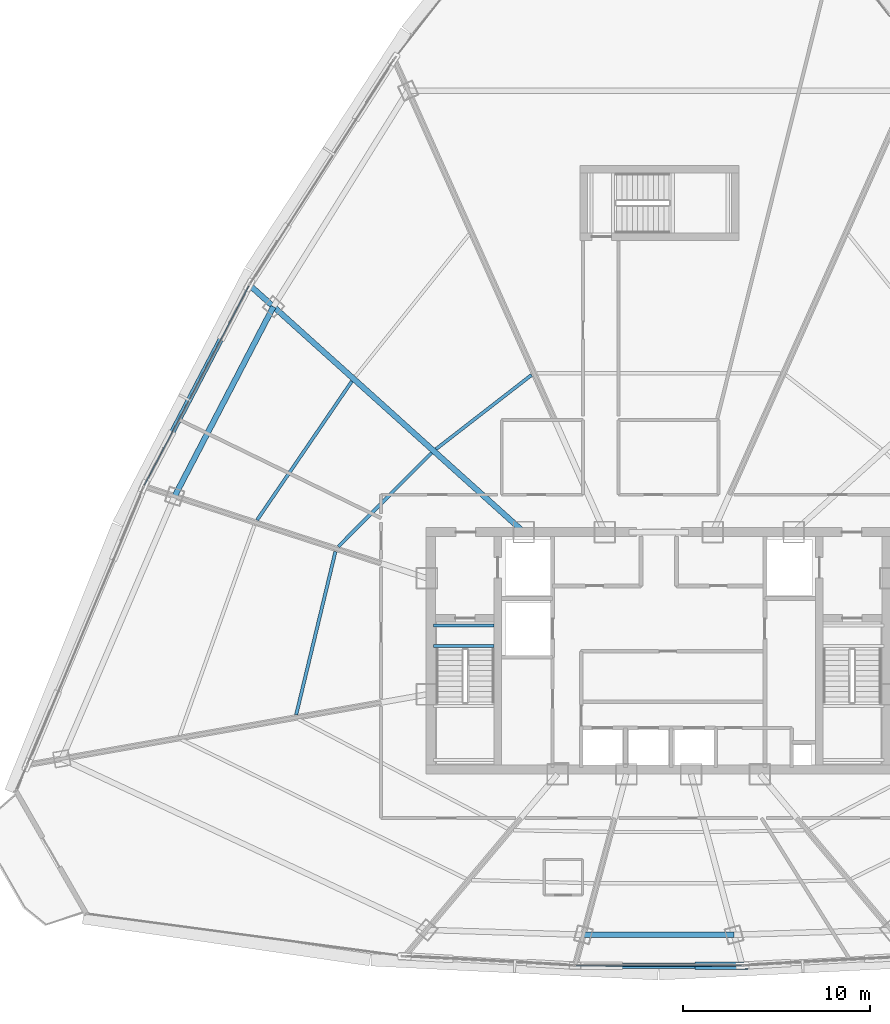
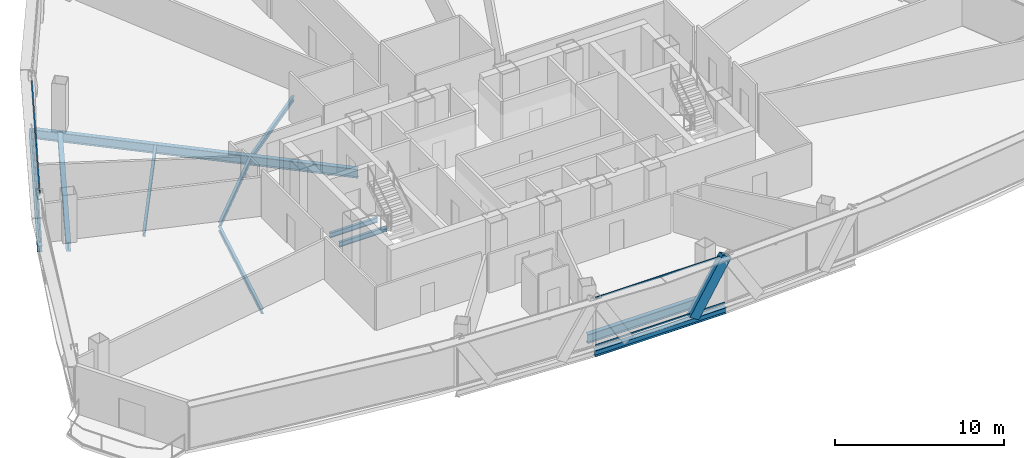
# One storey, part 9 of 37: 11 beams, 5 members, 2 elements without a shape of their own.
"""IFC4 building model written with IfcOpenShell, lengths in metres."""

from ifc_helpers import new_model, si_unit, direction, frame, origin, origin_2d, place, context, subcontext, project, spatial, hollow_rectangle, i_section, extrude, source, transform, mapped, material, layer, layer_set, material_profile, profile_set, type_object, element, aggregate, save


model = new_model("IFC4")

# Units and contexts
model_context = context("Model", 3, precision=1e-05, world=origin(), true_north=direction((0.0, 1.0)))
body_context = subcontext(model_context, "Body", "Model", "MODEL_VIEW")
ifc_project = project(units=[si_unit("LENGTHUNIT", "METRE"), si_unit("AREAUNIT", "SQUARE_METRE"), si_unit("VOLUMEUNIT", "CUBIC_METRE"), si_unit("PLANEANGLEUNIT", "RADIAN"), si_unit("MASSUNIT", "GRAM", prefix="KILO"), si_unit("THERMODYNAMICTEMPERATUREUNIT", "KELVIN"), si_unit("POWERUNIT", "WATT")], contexts=[model_context])

# Site, building, storey
site_placement = place(None, origin())
site = spatial("IfcSite", under=ifc_project, at=site_placement, CompositionType="ELEMENT")
building_placement = place(site_placement, origin())
building = spatial("IfcBuilding", under=site, at=building_placement, Name="Yunzhuo Pagoda Commons", CompositionType="ELEMENT")
storey_placement = place(building_placement, frame((0.0, 0.0, 251.989990234375)))
storey = spatial("IfcBuildingStorey", under=building, at=storey_placement, Name="L63", CompositionType="ELEMENT", Elevation=251.989990234375)

# Beams
ifc_material_1 = material(Name="Structural steel Q355B", Category="steel")
ifc_material_profile_1 = material_profile(ifc_material_1, i_section(OverallWidth=0.175048828125, OverallDepth=0.35009765625, WebThickness=0.007080078125, FlangeThickness=0.010986328125, at=origin_2d()), Name="Structural steel Q355B")
ifc_profile_set_1 = profile_set([ifc_material_profile_1], Name="Structural steel Q355B")
beam_type_1 = type_object("IfcBeamType", Name="B-JS2 Joist HN 350x175x7x11", PredefinedType="JOIST", material=ifc_profile_set_1)
shared_shape_1 = source(origin(), body_context, "Body", "SweptSolid", [
    extrude(i_section(OverallWidth=0.175048828125, OverallDepth=0.35009765625, WebThickness=0.007080078125, FlangeThickness=0.010986328125, at=origin_2d()), origin(), (0.0, 0.0, 1.0), 3.25),
])
for number, where, z_axis, x_axis, name in (
    (1, (35.949951171875, 34.10009765625, -0.375), (1.0, 0.0, 0.0), (0.0, 1.0, 0.0), "L63 ST1 landing support beam 167A"),
    (2, (35.949951171875, 35.199951171875, -0.375), (1.0, 0.0, 0.0), (0.0, 1.0, 0.0), "L63 ST1 landing support beam 167B"),
):
    element("IfcBeam", number, at=place(storey_placement, frame(where, z_axis=z_axis, x_axis=x_axis)), inside=storey, type_object=beam_type_1, Name=name, PredefinedType="JOIST", context=body_context, shape_type="MappedRepresentation", body=[
        mapped(shared_shape_1, transform((0.0, 0.0, 0.0), scale=1.0)),
    ])
ifc_material_profile_2 = material_profile(ifc_material_1, i_section(OverallWidth=0.300048828125, OverallDepth=0.64990234375, WebThickness=0.012939453125, FlangeThickness=0.02197265625, at=origin_2d()), Name="Structural steel Q355B")
ifc_profile_set_2 = profile_set([ifc_material_profile_2], Name="Structural steel Q355B")
beam_type_2 = type_object("IfcBeamType", Name="B-RG2 Beam HN 650x300x13x22", PredefinedType="BEAM", material=ifc_profile_set_2)
shared_shape_2 = source(origin(), body_context, "Body", "SweptSolid", [
    extrude(i_section(OverallWidth=0.300048828125, OverallDepth=0.64990234375, WebThickness=0.012939453125, FlangeThickness=0.02197265625, at=origin_2d()), origin(), (0.0, 0.0, 1.0), 8.06298828125),
])
beam_1_placement = place(storey_placement, frame((43.968505859375, 18.654052734375, -0.5849609375), z_axis=(1.0, 0.0, 0.0), x_axis=(0.0, 1.0, 0.0)))
element("IfcBeam", 3, at=beam_1_placement, inside=storey, type_object=beam_type_2, Name="L63 column-ring beam 2", PredefinedType="BEAM", context=body_context, shape_type="MappedRepresentation", body=[
    mapped(shared_shape_2, transform((0.0, 0.0, 0.0), scale=1.0)),
])
shared_shape_3 = source(origin(), body_context, "Body", "SweptSolid", [
    extrude(i_section(OverallWidth=0.300048828125, OverallDepth=0.64990234375, WebThickness=0.012939453125, FlangeThickness=0.02197265625, at=origin_2d()), origin(), (0.0, 0.0, 1.0), 11.43896484375),
])
beam_2_placement = place(storey_placement, frame((27.38818359375, 52.259033203125, -0.5849609375), z_axis=(-0.462142168026, -0.886805850529, 0.0), x_axis=(0.886805850529, -0.462142168026, 0.0)))
element("IfcBeam", 4, at=beam_2_placement, inside=storey, type_object=beam_type_2, Name="L63 column-ring beam 10", PredefinedType="BEAM", context=body_context, shape_type="MappedRepresentation", body=[
    mapped(shared_shape_3, transform((0.0, 0.0, 0.0), scale=1.0)),
])
shared_shape_4 = source(origin(), body_context, "Body", "SweptSolid", [
    extrude(i_section(OverallWidth=0.175048828125, OverallDepth=0.35009765625, WebThickness=0.007080078125, FlangeThickness=0.010986328125, at=origin_2d()), origin(), (0.0, 0.0, 1.0), 8.973876953125),
])
beam_3_placement = place(storey_placement, frame((30.703369140625, 39.1533203125, -0.43505859375), z_axis=(-0.233807152827, -0.972282991359, 0.0), x_axis=(0.972282991359, -0.233807152827, 0.0)))
element("IfcBeam", 5, at=beam_3_placement, inside=storey, type_object=beam_type_1, Name="L63 composite ring joist 1.11", PredefinedType="JOIST", context=body_context, shape_type="MappedRepresentation", body=[
    mapped(shared_shape_4, transform((0.0, 0.0, 0.0), scale=1.0)),
])
shared_shape_5 = source(origin(), body_context, "Body", "SweptSolid", [
    extrude(i_section(OverallWidth=0.175048828125, OverallDepth=0.35009765625, WebThickness=0.007080078125, FlangeThickness=0.010986328125, at=origin_2d()), origin(), (0.0, 0.0, 1.0), 7.0732421875),
])
beam_4_placement = place(storey_placement, frame((35.847412109375, 44.4287109375, -0.43505859375), z_axis=(-0.706139657206, -0.708072584218, 0.0), x_axis=(0.708072584218, -0.706139657206, 0.0)))
element("IfcBeam", 6, at=beam_4_placement, inside=storey, type_object=beam_type_1, Name="L63 composite ring joist 1.10", PredefinedType="JOIST", context=body_context, shape_type="MappedRepresentation", body=[
    mapped(shared_shape_5, transform((0.0, 0.0, 0.0), scale=1.0)),
])
shared_shape_6 = source(origin(), body_context, "Body", "SweptSolid", [
    extrude(i_section(OverallWidth=0.175048828125, OverallDepth=0.35009765625, WebThickness=0.007080078125, FlangeThickness=0.010986328125, at=origin_2d()), origin(), (0.0, 0.0, 1.0), 8.99365234375),
])
beam_5_placement = place(storey_placement, frame((31.583984375, 48.268798828125, -0.43505859375), z_axis=(-0.564098900337, -0.825707230584, 0.0), x_axis=(0.825707230584, -0.564098900337, 0.0)))
element("IfcBeam", 7, at=beam_5_placement, inside=storey, type_object=beam_type_1, Name="L63 composite ring joist 2.10", PredefinedType="JOIST", context=body_context, shape_type="MappedRepresentation", body=[
    mapped(shared_shape_6, transform((0.0, 0.0, 0.0), scale=1.0)),
])
shared_shape_7 = source(origin(), body_context, "Body", "SweptSolid", [
    extrude(i_section(OverallWidth=0.175048828125, OverallDepth=0.35009765625, WebThickness=0.007080078125, FlangeThickness=0.010986328125, at=origin_2d()), origin(), (0.0, 0.0, 1.0), 6.4677734375),
])
beam_6_placement = place(storey_placement, frame((41.19580078125, 48.602783203125, -0.43505859375), z_axis=(-0.790160481991, -0.612900002202, 0.0), x_axis=(0.612900002202, -0.790160481991, 0.0)))
element("IfcBeam", 8, at=beam_6_placement, inside=storey, type_object=beam_type_1, Name="L63 composite ring joist 1.9", PredefinedType="JOIST", context=body_context, shape_type="MappedRepresentation", body=[
    mapped(shared_shape_7, transform((0.0, 0.0, 0.0), scale=1.0)),
])
shared_shape_8 = source(origin(), body_context, "Body", "SweptSolid", [
    extrude(i_section(OverallWidth=0.300048828125, OverallDepth=0.64990234375, WebThickness=0.012939453125, FlangeThickness=0.02197265625, at=origin_2d()), origin(), (0.0, 0.0, 1.0), 19.60302734375),
])
beam_7_placement = place(storey_placement, frame((26.21337890625, 53.317138671875, -0.5849609375), z_axis=(0.743133733174, -0.669142925405, 0.0), x_axis=(0.669142925405, 0.743133733174, 0.0)))
element("IfcBeam", 9, at=beam_7_placement, inside=storey, type_object=beam_type_2, Name="L63 radial floor girder F3C2", PredefinedType="BEAM", context=body_context, shape_type="MappedRepresentation", body=[
    mapped(shared_shape_8, transform((0.0, 0.0, 0.0), scale=1.0)),
])
ifc_material_profile_3 = material_profile(ifc_material_1, i_section(OverallWidth=0.300048828125, OverallDepth=0.43994140625, WebThickness=0.010986328125, FlangeThickness=0.01806640625, at=origin_2d()), Name="Structural steel Q355B")
ifc_profile_set_3 = profile_set([ifc_material_profile_3], Name="Structural steel Q355B")
beam_type_3 = type_object("IfcBeamType", Name="B-SP2 Beam HM 440x300x11x18", PredefinedType="BEAM", material=ifc_profile_set_3)
shared_shape_9 = source(origin(), body_context, "Body", "SweptSolid", [
    extrude(i_section(OverallWidth=0.300048828125, OverallDepth=0.43994140625, WebThickness=0.010986328125, FlangeThickness=0.01806640625, at=origin_2d()), origin(), (0.0, 0.0, 1.0), 8.947265625),
])
beam_8_placement = place(storey_placement, frame((43.5263671875, 17.004638671875, -0.47998046875), z_axis=(1.0, 0.0, 0.0), x_axis=(0.0, 1.0, 0.0)))
element("IfcBeam", 10, at=beam_8_placement, inside=storey, type_object=beam_type_3, Name="L63 facade edge spandrel beam F1.2", PredefinedType="BEAM", context=body_context, shape_type="MappedRepresentation", body=[
    mapped(shared_shape_9, transform((0.0, 0.0, 0.0), scale=1.0)),
])
shared_shape_10 = source(origin(), body_context, "Body", "SweptSolid", [
    extrude(i_section(OverallWidth=0.300048828125, OverallDepth=0.43994140625, WebThickness=0.010986328125, FlangeThickness=0.01806640625, at=origin_2d()), origin(), (0.0, 0.0, 1.0), 12.15966796875),
])
beam_9_placement = place(storey_placement, frame((26.098388671875, 53.420654296875, -0.47998046875), z_axis=(-0.464198294377, -0.885731304345, 0.0), x_axis=(0.885731304345, -0.464198294377, 0.0)))
element("IfcBeam", 11, at=beam_9_placement, inside=storey, type_object=beam_type_3, Name="L63 facade edge spandrel beam F3.2", PredefinedType="BEAM", context=body_context, shape_type="MappedRepresentation", body=[
    mapped(shared_shape_10, transform((0.0, 0.0, 0.0), scale=1.0)),
])

# Member
ifc_material_profile_4 = material_profile(ifc_material_1, hollow_rectangle(XDim=0.39990234375, YDim=0.719970703125, WallThickness=0.02392578125, at=origin_2d()), Name="Structural steel Q355B")
ifc_profile_set_4 = profile_set([ifc_material_profile_4], Name="Structural steel Q355B")
member_type_1 = type_object("IfcMemberType", Name="M-DL2 Brace BOX 720x400x24", PredefinedType="BRACE", material=ifc_profile_set_4)
shared_shape_11 = source(origin(), body_context, "Body", "SweptSolid", [
    extrude(hollow_rectangle(XDim=0.39990234375, YDim=0.719970703125, WallThickness=0.02392578125, at=origin_2d()), origin(), (0.0, 0.0, 1.0), 4.34912109375),
])
member_1_placement = place(storey_placement, frame((50.23681640625, 17.004638671875, -0.259765625), z_axis=(0.51432238227, 0.0, 0.857596925774), x_axis=(0.0, 1.0, 0.0)))
element("IfcMember", 12, at=member_1_placement, inside=storey, type_object=member_type_1, Name="L63 facade diamond brace F1.2R", PredefinedType="BRACE", context=body_context, shape_type="MappedRepresentation", body=[
    mapped(shared_shape_11, transform((0.0, 0.0, 0.0), scale=1.0)),
])

# Curtain wall, members
ifc_material_2 = material(Name="Anodized aluminium 6063-T6", Category="aluminium")
ifc_layer = layer(ifc_material_2, 0.139892578125)
ifc_layer_set = layer_set([ifc_layer], Name="Anodized aluminium 6063-T6")
curtain_wall_type = type_object("IfcCurtainWallType", Name="CW-HI High-Zone Ribbon Curtain Wall", PredefinedType="NOTDEFINED", material=ifc_layer_set)
curtain_wall_1_placement = place(storey_placement, origin())
curtain_wall_1 = element("IfcCurtainWall", 13, at=curtain_wall_1_placement, inside=storey, type_object=curtain_wall_type, Name="L63 curtain wall CW-L63-F1B3", PredefinedType="NOTDEFINED")
ifc_material_profile_5 = material_profile(ifc_material_2, hollow_rectangle(XDim=0.054931640625, YDim=0.1201171875, WallThickness=0.00341796875, at=origin_2d()), Name="Anodized aluminium 6063-T6")
ifc_profile_set_5 = profile_set([ifc_material_profile_5], Name="Anodized aluminium 6063-T6")
member_type_2 = type_object("IfcMemberType", Name="CW-HI-T Transom RHS 120x55x3.5", PredefinedType="USERDEFINED", material=ifc_profile_set_5)
shared_shape_12 = source(origin(), body_context, "Body", "SweptSolid", [
    extrude(hollow_rectangle(XDim=0.054931640625, YDim=0.1201171875, WallThickness=0.00341796875, at=origin_2d()), origin(), (0.0, 0.0, 1.0), 8.8271484375),
])
member_2_placement = place(storey_placement, frame((43.58642578125, 17.004638671875, 0.027587890625), z_axis=(1.0, 0.0, 0.0), x_axis=(0.0, 1.0, 0.0)))
member_2 = element("IfcMember", 14, at=member_2_placement, type_object=member_type_2, Name="CW transom 1.1", ObjectType="TRANSOM", PredefinedType="USERDEFINED", context=body_context, shape_type="MappedRepresentation", body=[
    mapped(shared_shape_12, transform((0.0, 0.0, 0.0), scale=1.0)),
])
member_3_placement = place(storey_placement, frame((43.58642578125, 17.004638671875, 3.442626953125), z_axis=(1.0, 0.0, 0.0), x_axis=(0.0, 1.0, 0.0)))
member_3 = element("IfcMember", 15, at=member_3_placement, type_object=member_type_2, Name="CW transom 1.2", ObjectType="TRANSOM", PredefinedType="USERDEFINED", context=body_context, shape_type="MappedRepresentation", body=[
    mapped(shared_shape_12, transform((0.0, 0.0, 0.0), scale=1.0)),
])
aggregate(curtain_wall_1, [member_2, member_3])

curtain_wall_2_placement = place(storey_placement, origin())
curtain_wall_2 = element("IfcCurtainWall", 16, at=curtain_wall_2_placement, inside=storey, type_object=curtain_wall_type, Name="L63 curtain wall CW-L63-F3B3", PredefinedType="NOTDEFINED")
shared_shape_13 = source(origin(), body_context, "Body", "SweptSolid", [
    extrude(hollow_rectangle(XDim=0.054931640625, YDim=0.1201171875, WallThickness=0.00341796875, at=origin_2d()), origin(), (0.0, 0.0, 1.0), 12.039794921875),
])
member_4_placement = place(storey_placement, frame((26.070556640625, 53.367431640625, 0.027587890625), z_axis=(-0.464182018036, -0.885739834337, 0.0), x_axis=(0.885739834337, -0.464182018036, 0.0)))
member_4 = element("IfcMember", 17, at=member_4_placement, type_object=member_type_2, Name="CW transom 1.1", ObjectType="TRANSOM", PredefinedType="USERDEFINED", context=body_context, shape_type="MappedRepresentation", body=[
    mapped(shared_shape_13, transform((0.0, 0.0, 0.0), scale=1.0)),
])
member_5_placement = place(storey_placement, frame((26.070556640625, 53.367431640625, 3.442626953125), z_axis=(-0.464182018036, -0.885739834337, 0.0), x_axis=(0.885739834337, -0.464182018036, 0.0)))
member_5 = element("IfcMember", 18, at=member_5_placement, type_object=member_type_2, Name="CW transom 1.2", ObjectType="TRANSOM", PredefinedType="USERDEFINED", context=body_context, shape_type="MappedRepresentation", body=[
    mapped(shared_shape_13, transform((0.0, 0.0, 0.0), scale=1.0)),
])
aggregate(curtain_wall_2, [member_4, member_5])

save(model, "model.ifc")
